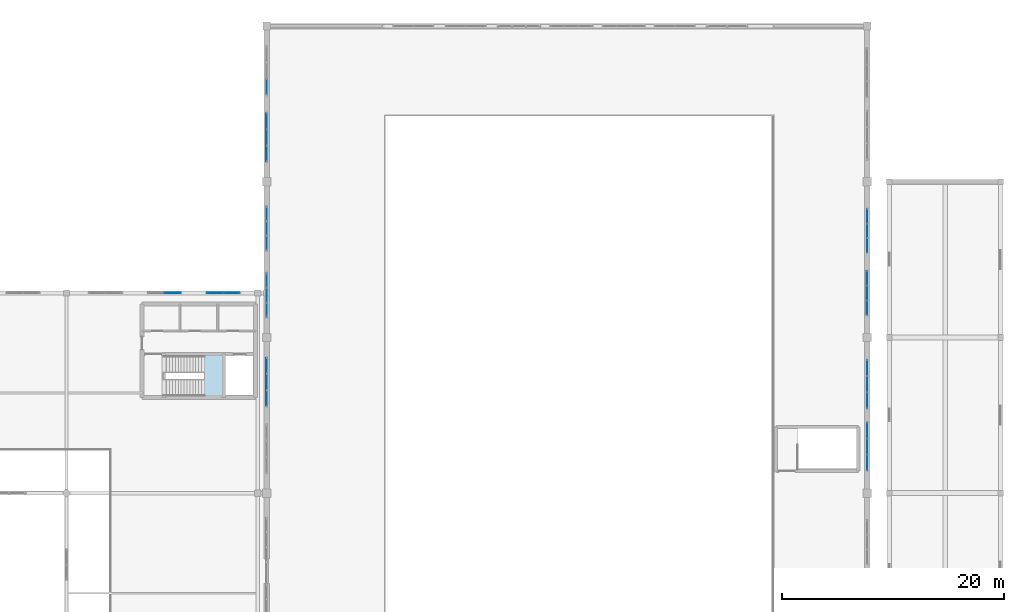
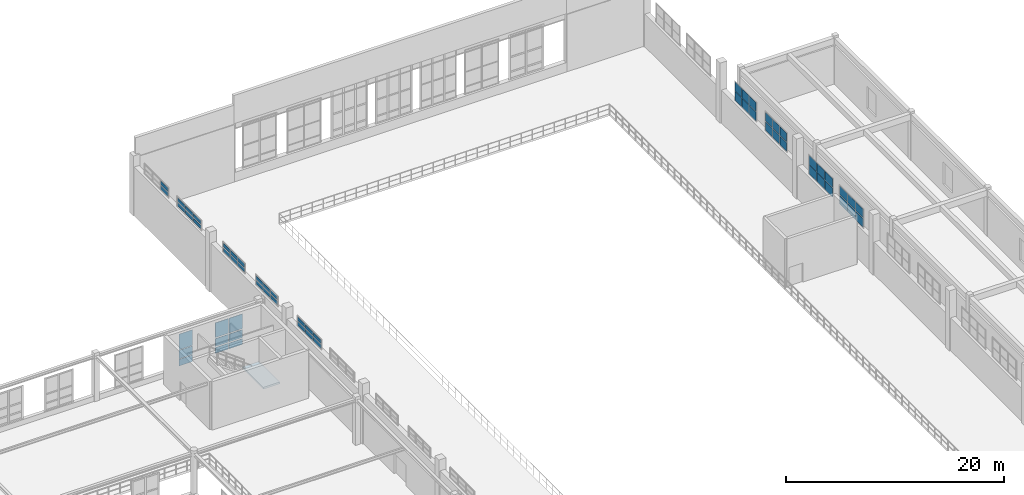
# One storey, part 165 of 197: 59 plates, 1 slab, 12 elements without a shape of their own.
"""IFC4 building model written with IfcOpenShell, lengths in metres."""

from ifc_helpers import new_model, si_unit, derived_unit, direction, frame, origin, origin_2d, place, context, subcontext, project, spatial, polyline, rectangle, outline, extrude, material, layer, layer_set, type_object, element, aggregate, save


model = new_model("IFC4")

# Units and contexts
model_context = context("Model", 3, precision=1e-05, world=origin(), true_north=direction((0.0, 1.0)))
body_context = subcontext(model_context, "Body", "Model", "MODEL_VIEW")
ifc_project = project(units=[si_unit("LENGTHUNIT", "METRE"), si_unit("AREAUNIT", "SQUARE_METRE"), si_unit("VOLUMEUNIT", "CUBIC_METRE"), si_unit("PLANEANGLEUNIT", "RADIAN"), si_unit("MASSUNIT", "GRAM", prefix="KILO"), derived_unit("THERMALTRANSMITTANCEUNIT", [(si_unit("POWERUNIT", "WATT"), 1), (si_unit("LENGTHUNIT", "METRE"), -2), (si_unit("THERMODYNAMICTEMPERATUREUNIT", "KELVIN"), -1)])], contexts=[model_context])

# Site, building, storey
site_placement = place(None, origin())
site = spatial("IfcSite", under=ifc_project, at=site_placement, CompositionType="ELEMENT")
building_placement = place(site_placement, origin())
building = spatial("IfcBuilding", under=site, at=building_placement, Name="Almenara Railside Exhibition Hall", CompositionType="ELEMENT")
storey_placement = place(building_placement, frame((0.0, 0.0, 5.39990234375)))
storey = spatial("IfcBuildingStorey", under=building, at=storey_placement, Name="L01", CompositionType="ELEMENT", Elevation=5.39990234375)

# Curtain wall, plates
ifc_material_1 = material(Name="Bronze-anodised aluminium and low-E double glazing", Category="aluminium")
ifc_layer_1 = layer(ifc_material_1, 0.179931640625, Name="Bronze-anodised aluminium and low-E double glazing")
ifc_layer_set_1 = layer_set([ifc_layer_1], Name="Bronze-anodised aluminium and low-E double glazing")
curtain_wall_type_1 = type_object("IfcCurtainWallType", Name="East Hall Clerestory Curtain Wall 4400x2300", PredefinedType="NOTDEFINED", material=ifc_layer_set_1)
curtain_wall_1_placement = place(storey_placement, origin())
curtain_wall_1 = element("IfcCurtainWall", 1, at=curtain_wall_1_placement, inside=storey, type_object=curtain_wall_type_1, Name="Curtain wall CW-CL3-070", PredefinedType="NOTDEFINED")
ifc_material_2 = material(Name="Solar-control acoustic laminated glazing", Category="glass")
ifc_layer_2 = layer(ifc_material_2, 0.031982421875, Name="Solar-control acoustic laminated glazing")
ifc_layer_set_2 = layer_set([ifc_layer_2], Name="Solar-control acoustic laminated glazing")
plate_type_1 = type_object("IfcPlateType", Name="Acoustic Low-E Double Glazing Panel 32mm", PredefinedType="CURTAIN_PANEL", material=ifc_layer_set_2)
plate_1_placement = place(storey_placement, frame((192.0, 98.34716796875, 3.72412109375), z_axis=(0.0, 0.0, 1.0), x_axis=(0.0, 1.0, 0.0)))
plate_1 = element("IfcPlate", 2, at=plate_1_placement, type_object=plate_type_1, Name="CW-CL3-070 panel 1.1", PredefinedType="CURTAIN_PANEL", context=body_context, shape_type="SweptSolid", body=[
    extrude(rectangle(XDim=1.400146484375, YDim=0.031982421875, at=origin_2d()), origin(), (0.0, 0.0, 1.0), 0.9970703125),
])
plate_2_placement = place(storey_placement, frame((192.0, 98.34716796875, 4.779052734375), z_axis=(0.0, 0.0, 1.0), x_axis=(0.0, 1.0, 0.0)))
plate_2 = element("IfcPlate", 3, at=plate_2_placement, type_object=plate_type_1, Name="CW-CL3-070 panel 1.2", PredefinedType="CURTAIN_PANEL", context=body_context, shape_type="SweptSolid", body=[
    extrude(rectangle(XDim=1.400146484375, YDim=0.031982421875, at=origin_2d()), origin(), (0.0, 0.0, 1.0), 0.9970703125),
])
plate_3_placement = place(storey_placement, frame((192.0, 99.800048828125, 3.72412109375), z_axis=(0.0, 0.0, 1.0), x_axis=(0.0, 1.0, 0.0)))
plate_3 = element("IfcPlate", 4, at=plate_3_placement, type_object=plate_type_1, Name="CW-CL3-070 panel 2.1", PredefinedType="CURTAIN_PANEL", context=body_context, shape_type="SweptSolid", body=[
    extrude(rectangle(XDim=1.427734375, YDim=0.031982421875, at=origin_2d()), origin(), (0.0, 0.0, 1.0), 0.9970703125),
])
plate_4_placement = place(storey_placement, frame((192.0, 99.800048828125, 4.779052734375), z_axis=(0.0, 0.0, 1.0), x_axis=(0.0, 1.0, 0.0)))
plate_4 = element("IfcPlate", 5, at=plate_4_placement, type_object=plate_type_1, Name="CW-CL3-070 panel 2.2", PredefinedType="CURTAIN_PANEL", context=body_context, shape_type="SweptSolid", body=[
    extrude(rectangle(XDim=1.427734375, YDim=0.031982421875, at=origin_2d()), origin(), (0.0, 0.0, 1.0), 0.9970703125),
])
plate_5_placement = place(storey_placement, frame((192.0, 101.2529296875, 3.72412109375), z_axis=(0.0, 0.0, 1.0), x_axis=(0.0, 1.0, 0.0)))
plate_5 = element("IfcPlate", 6, at=plate_5_placement, type_object=plate_type_1, Name="CW-CL3-070 panel 3.1", PredefinedType="CURTAIN_PANEL", context=body_context, shape_type="SweptSolid", body=[
    extrude(rectangle(XDim=1.400146484375, YDim=0.031982421875, at=origin_2d()), origin(), (0.0, 0.0, 1.0), 0.9970703125),
])
plate_6_placement = place(storey_placement, frame((192.0, 101.2529296875, 4.779052734375), z_axis=(0.0, 0.0, 1.0), x_axis=(0.0, 1.0, 0.0)))
plate_6 = element("IfcPlate", 7, at=plate_6_placement, type_object=plate_type_1, Name="CW-CL3-070 panel 3.2", PredefinedType="CURTAIN_PANEL", context=body_context, shape_type="SweptSolid", body=[
    extrude(rectangle(XDim=1.400146484375, YDim=0.031982421875, at=origin_2d()), origin(), (0.0, 0.0, 1.0), 0.9970703125),
])
aggregate(curtain_wall_1, [plate_1, plate_2, plate_3, plate_4, plate_5, plate_6])

curtain_wall_2_placement = place(storey_placement, origin())
curtain_wall_2 = element("IfcCurtainWall", 8, at=curtain_wall_2_placement, inside=storey, type_object=curtain_wall_type_1, Name="Curtain wall CW-CL3-075", PredefinedType="NOTDEFINED")
plate_7_placement = place(storey_placement, frame((138.0, 120.55078125, 5.593994140625), z_axis=(0.0, 0.0, 1.0), x_axis=(0.0, 1.0, 0.0)))
plate_7 = element("IfcPlate", 9, at=plate_7_placement, type_object=plate_type_1, Name="CW-CL3-075 panel 1.1", PredefinedType="CURTAIN_PANEL", context=body_context, shape_type="SweptSolid", body=[
    extrude(rectangle(XDim=1.377685546875, YDim=0.031982421875, at=origin_2d()), origin(), (0.0, 0.0, 1.0), 0.39208984375),
])
plate_8_placement = place(storey_placement, frame((138.0, 120.55078125, 6.114013671875), z_axis=(0.0, 0.0, 1.0), x_axis=(0.0, 1.0, 0.0)))
plate_8 = element("IfcPlate", 10, at=plate_8_placement, type_object=plate_type_1, Name="CW-CL3-075 panel 1.2", PredefinedType="CURTAIN_PANEL", context=body_context, shape_type="SweptSolid", body=[
    extrude(rectangle(XDim=1.377685546875, YDim=0.031982421875, at=origin_2d()), origin(), (0.0, 0.0, 1.0), 0.39208984375),
])
plate_9_placement = place(storey_placement, frame((138.0, 122.0, 5.593994140625), z_axis=(0.0, 0.0, 1.0), x_axis=(0.0, 1.0, 0.0)))
plate_9 = element("IfcPlate", 11, at=plate_9_placement, type_object=plate_type_1, Name="CW-CL3-075 panel 2.1", PredefinedType="CURTAIN_PANEL", context=body_context, shape_type="SweptSolid", body=[
    extrude(rectangle(XDim=1.41259765625, YDim=0.031982421875, at=origin_2d()), origin(), (0.0, 0.0, 1.0), 0.39208984375),
])
plate_10_placement = place(storey_placement, frame((138.0, 122.0, 6.114013671875), z_axis=(0.0, 0.0, 1.0), x_axis=(0.0, 1.0, 0.0)))
plate_10 = element("IfcPlate", 12, at=plate_10_placement, type_object=plate_type_1, Name="CW-CL3-075 panel 2.2", PredefinedType="CURTAIN_PANEL", context=body_context, shape_type="SweptSolid", body=[
    extrude(rectangle(XDim=1.41259765625, YDim=0.031982421875, at=origin_2d()), origin(), (0.0, 0.0, 1.0), 0.39208984375),
])
plate_11_placement = place(storey_placement, frame((138.0, 123.44921875, 5.593994140625), z_axis=(0.0, 0.0, 1.0), x_axis=(0.0, 1.0, 0.0)))
plate_11 = element("IfcPlate", 13, at=plate_11_placement, type_object=plate_type_1, Name="CW-CL3-075 panel 3.1", PredefinedType="CURTAIN_PANEL", context=body_context, shape_type="SweptSolid", body=[
    extrude(rectangle(XDim=1.377685546875, YDim=0.031982421875, at=origin_2d()), origin(), (0.0, 0.0, 1.0), 0.39208984375),
])
plate_12_placement = place(storey_placement, frame((138.0, 123.44921875, 6.114013671875), z_axis=(0.0, 0.0, 1.0), x_axis=(0.0, 1.0, 0.0)))
plate_12 = element("IfcPlate", 14, at=plate_12_placement, type_object=plate_type_1, Name="CW-CL3-075 panel 3.2", PredefinedType="CURTAIN_PANEL", context=body_context, shape_type="SweptSolid", body=[
    extrude(rectangle(XDim=1.377685546875, YDim=0.031982421875, at=origin_2d()), origin(), (0.0, 0.0, 1.0), 0.39208984375),
])
aggregate(curtain_wall_2, [plate_7, plate_8, plate_9, plate_10, plate_11, plate_12])

ifc_layer_3 = layer(ifc_material_1, 0.179931640625, Name="Bronze-anodised aluminium and low-E double glazing")
ifc_layer_set_3 = layer_set([ifc_layer_3], Name="Bronze-anodised aluminium and low-E double glazing")
curtain_wall_type_2 = type_object("IfcCurtainWallType", Name="East Hall Clerestory Curtain Wall 4000x2100", PredefinedType="NOTDEFINED", material=ifc_layer_set_3)
curtain_wall_3_placement = place(storey_placement, origin())
curtain_wall_3 = element("IfcCurtainWall", 15, at=curtain_wall_3_placement, inside=storey, type_object=curtain_wall_type_2, Name="Curtain wall CW-CL4-072", PredefinedType="NOTDEFINED")
ifc_material_3 = material(Name="Clear low-E laminated double glazing", Category="glass")
ifc_layer_4 = layer(ifc_material_3, 0.02392578125, Name="Clear low-E laminated double glazing")
ifc_layer_set_4 = layer_set([ifc_layer_4], Name="Clear low-E laminated double glazing")
plate_type_2 = type_object("IfcPlateType", Name="Courtyard Clear Double Glazing Panel 24mm", PredefinedType="CURTAIN_PANEL", material=ifc_layer_set_4)
plate_13_placement = place(storey_placement, frame((138.0, 112.48291015625, 5.57421875), z_axis=(0.0, 0.0, 1.0), x_axis=(0.0, 1.0, 0.0)))
plate_13 = element("IfcPlate", 16, at=plate_13_placement, type_object=plate_type_2, Name="CW-CL4-072 panel 1.1", PredefinedType="CURTAIN_PANEL", context=body_context, shape_type="SweptSolid", body=[
    extrude(rectangle(XDim=1.251953125, YDim=0.02392578125, at=origin_2d()), origin(), (0.0, 0.0, 1.0), 0.422119140625),
])
plate_14_placement = place(storey_placement, frame((138.0, 112.48291015625, 6.10400390625), z_axis=(0.0, 0.0, 1.0), x_axis=(0.0, 1.0, 0.0)))
plate_14 = element("IfcPlate", 17, at=plate_14_placement, type_object=plate_type_2, Name="CW-CL4-072 panel 1.2", PredefinedType="CURTAIN_PANEL", context=body_context, shape_type="SweptSolid", body=[
    extrude(rectangle(XDim=1.251953125, YDim=0.02392578125, at=origin_2d()), origin(), (0.0, 0.0, 1.0), 0.422119140625),
])
plate_15_placement = place(storey_placement, frame((138.0, 113.800048828125, 5.57421875), z_axis=(0.0, 0.0, 1.0), x_axis=(0.0, 1.0, 0.0)))
plate_15 = element("IfcPlate", 18, at=plate_15_placement, type_object=plate_type_2, Name="CW-CL4-072 panel 2.1", PredefinedType="CURTAIN_PANEL", context=body_context, shape_type="SweptSolid", body=[
    extrude(rectangle(XDim=1.284423828125, YDim=0.02392578125, at=origin_2d()), origin(), (0.0, 0.0, 1.0), 0.422119140625),
])
plate_16_placement = place(storey_placement, frame((138.0, 113.800048828125, 6.10400390625), z_axis=(0.0, 0.0, 1.0), x_axis=(0.0, 1.0, 0.0)))
plate_16 = element("IfcPlate", 19, at=plate_16_placement, type_object=plate_type_2, Name="CW-CL4-072 panel 2.2", PredefinedType="CURTAIN_PANEL", context=body_context, shape_type="SweptSolid", body=[
    extrude(rectangle(XDim=1.284423828125, YDim=0.02392578125, at=origin_2d()), origin(), (0.0, 0.0, 1.0), 0.422119140625),
])
plate_17_placement = place(storey_placement, frame((138.0, 115.1171875, 5.57421875), z_axis=(0.0, 0.0, 1.0), x_axis=(0.0, 1.0, 0.0)))
plate_17 = element("IfcPlate", 20, at=plate_17_placement, type_object=plate_type_2, Name="CW-CL4-072 panel 3.1", PredefinedType="CURTAIN_PANEL", context=body_context, shape_type="SweptSolid", body=[
    extrude(rectangle(XDim=1.251953125, YDim=0.02392578125, at=origin_2d()), origin(), (0.0, 0.0, 1.0), 0.422119140625),
])
plate_18_placement = place(storey_placement, frame((138.0, 115.1171875, 6.10400390625), z_axis=(0.0, 0.0, 1.0), x_axis=(0.0, 1.0, 0.0)))
plate_18 = element("IfcPlate", 21, at=plate_18_placement, type_object=plate_type_2, Name="CW-CL4-072 panel 3.2", PredefinedType="CURTAIN_PANEL", context=body_context, shape_type="SweptSolid", body=[
    extrude(rectangle(XDim=1.251953125, YDim=0.02392578125, at=origin_2d()), origin(), (0.0, 0.0, 1.0), 0.422119140625),
])
aggregate(curtain_wall_3, [plate_13, plate_14, plate_15, plate_16, plate_17, plate_18])

ifc_layer_5 = layer(ifc_material_1, 0.179931640625, Name="Bronze-anodised aluminium and low-E double glazing")
ifc_layer_set_5 = layer_set([ifc_layer_5], Name="Bronze-anodised aluminium and low-E double glazing")
curtain_wall_type_3 = type_object("IfcCurtainWallType", Name="Courtyard North Galeria Curtain Wall 3000x3700", PredefinedType="NOTDEFINED", material=ifc_layer_set_5)
curtain_wall_4_placement = place(storey_placement, origin())
curtain_wall_4 = element("IfcCurtainWall", 22, at=curtain_wall_4_placement, inside=storey, type_object=curtain_wall_type_3, Name="Curtain wall CW-CY1-142", PredefinedType="NOTDEFINED")
plate_19_placement = place(storey_placement, frame((129.5361328125, 108.0, 0.674072265625), z_axis=(0.0, 0.0, 1.0), x_axis=(1.0, 0.0, 0.0)))
plate_19 = element("IfcPlate", 23, at=plate_19_placement, type_object=plate_type_2, Name="CW-CY1-142 panel 2.1", PredefinedType="CURTAIN_PANEL", context=body_context, shape_type="SweptSolid", body=[
    extrude(rectangle(XDim=1.43359375, YDim=0.02392578125, at=origin_2d()), origin(), (0.0, 0.0, 1.0), 0.7470703125),
])
plate_20_placement = place(storey_placement, frame((129.5361328125, 108.0, 1.479248046875), z_axis=(0.0, 0.0, 1.0), x_axis=(1.0, 0.0, 0.0)))
plate_20 = element("IfcPlate", 24, at=plate_20_placement, type_object=plate_type_2, Name="CW-CY1-142 panel 2.2", PredefinedType="CURTAIN_PANEL", context=body_context, shape_type="SweptSolid", body=[
    extrude(rectangle(XDim=1.43359375, YDim=0.02392578125, at=origin_2d()), origin(), (0.0, 0.0, 1.0), 0.94189453125),
])
plate_21_placement = place(storey_placement, frame((129.5361328125, 108.0, 2.47900390625), z_axis=(0.0, 0.0, 1.0), x_axis=(1.0, 0.0, 0.0)))
plate_21 = element("IfcPlate", 25, at=plate_21_placement, type_object=plate_type_2, Name="CW-CY1-142 panel 2.3", PredefinedType="CURTAIN_PANEL", context=body_context, shape_type="SweptSolid", body=[
    extrude(rectangle(XDim=1.43359375, YDim=0.02392578125, at=origin_2d()), origin(), (0.0, 0.0, 1.0), 1.7470703125),
])
aggregate(curtain_wall_4, [plate_19, plate_20, plate_21])

curtain_wall_5_placement = place(storey_placement, origin())
curtain_wall_5 = element("IfcCurtainWall", 26, at=curtain_wall_5_placement, inside=storey, type_object=curtain_wall_type_1, Name="Curtain wall CW-CL3-068", PredefinedType="NOTDEFINED")
ifc_material_4 = material(Name="Bronze-anodised insulated aluminium spandrel", Category="aluminium")
ifc_layer_6 = layer(ifc_material_4, 0.0400390625, Name="Bronze-anodised insulated aluminium spandrel")
ifc_layer_set_6 = layer_set([ifc_layer_6], Name="Bronze-anodised insulated aluminium spandrel")
plate_type_3 = type_object("IfcPlateType", Name="Insulated Bronze Spandrel Panel 40mm", PredefinedType="CURTAIN_PANEL", material=ifc_layer_set_6)
plate_22_placement = place(storey_placement, frame((138.0, 98.549560546875, 5.57421875), z_axis=(0.0, 0.0, 1.0), x_axis=(0.0, 1.0, 0.0)))
plate_22 = element("IfcPlate", 27, at=plate_22_placement, type_object=plate_type_3, Name="CW-CL3-068 panel 1.1", PredefinedType="CURTAIN_PANEL", context=body_context, shape_type="SweptSolid", body=[
    extrude(rectangle(XDim=1.38525390625, YDim=0.0400390625, at=origin_2d()), origin(), (0.0, 0.0, 1.0), 0.422119140625),
])
plate_23_placement = place(storey_placement, frame((138.0, 98.549560546875, 6.10400390625), z_axis=(0.0, 0.0, 1.0), x_axis=(0.0, 1.0, 0.0)))
plate_23 = element("IfcPlate", 28, at=plate_23_placement, type_object=plate_type_3, Name="CW-CL3-068 panel 1.2", PredefinedType="CURTAIN_PANEL", context=body_context, shape_type="SweptSolid", body=[
    extrude(rectangle(XDim=1.38525390625, YDim=0.0400390625, at=origin_2d()), origin(), (0.0, 0.0, 1.0), 0.422119140625),
])
plate_24_placement = place(storey_placement, frame((138.0, 100.0, 5.57421875), z_axis=(0.0, 0.0, 1.0), x_axis=(0.0, 1.0, 0.0)))
plate_24 = element("IfcPlate", 29, at=plate_24_placement, type_object=plate_type_3, Name="CW-CL3-068 panel 2.1", PredefinedType="CURTAIN_PANEL", context=body_context, shape_type="SweptSolid", body=[
    extrude(rectangle(XDim=1.417724609375, YDim=0.0400390625, at=origin_2d()), origin(), (0.0, 0.0, 1.0), 0.422119140625),
])
plate_25_placement = place(storey_placement, frame((138.0, 100.0, 6.10400390625), z_axis=(0.0, 0.0, 1.0), x_axis=(0.0, 1.0, 0.0)))
plate_25 = element("IfcPlate", 30, at=plate_25_placement, type_object=plate_type_3, Name="CW-CL3-068 panel 2.2", PredefinedType="CURTAIN_PANEL", context=body_context, shape_type="SweptSolid", body=[
    extrude(rectangle(XDim=1.417724609375, YDim=0.0400390625, at=origin_2d()), origin(), (0.0, 0.0, 1.0), 0.422119140625),
])
plate_26_placement = place(storey_placement, frame((138.0, 101.450439453125, 5.57421875), z_axis=(0.0, 0.0, 1.0), x_axis=(0.0, 1.0, 0.0)))
plate_26 = element("IfcPlate", 31, at=plate_26_placement, type_object=plate_type_3, Name="CW-CL3-068 panel 3.1", PredefinedType="CURTAIN_PANEL", context=body_context, shape_type="SweptSolid", body=[
    extrude(rectangle(XDim=1.38525390625, YDim=0.0400390625, at=origin_2d()), origin(), (0.0, 0.0, 1.0), 0.422119140625),
])
plate_27_placement = place(storey_placement, frame((138.0, 101.450439453125, 6.10400390625), z_axis=(0.0, 0.0, 1.0), x_axis=(0.0, 1.0, 0.0)))
plate_27 = element("IfcPlate", 32, at=plate_27_placement, type_object=plate_type_3, Name="CW-CL3-068 panel 3.2", PredefinedType="CURTAIN_PANEL", context=body_context, shape_type="SweptSolid", body=[
    extrude(rectangle(XDim=1.38525390625, YDim=0.0400390625, at=origin_2d()), origin(), (0.0, 0.0, 1.0), 0.422119140625),
])
aggregate(curtain_wall_5, [plate_22, plate_23, plate_24, plate_25, plate_26, plate_27])

curtain_wall_6_placement = place(storey_placement, origin())
curtain_wall_6 = element("IfcCurtainWall", 33, at=curtain_wall_6_placement, inside=storey, type_object=curtain_wall_type_2, Name="Curtain wall CW-CL4-073", PredefinedType="NOTDEFINED")
plate_28_placement = place(storey_placement, frame((192.0, 106.681640625, 3.744140625), z_axis=(0.0, 0.0, 1.0), x_axis=(0.0, 1.0, 0.0)))
plate_28 = element("IfcPlate", 34, at=plate_28_placement, type_object=plate_type_3, Name="CW-CL4-073 panel 1.1", PredefinedType="CURTAIN_PANEL", context=body_context, shape_type="SweptSolid", body=[
    extrude(rectangle(XDim=1.25927734375, YDim=0.0400390625, at=origin_2d()), origin(), (0.0, 0.0, 1.0), 0.967041015625),
])
plate_29_placement = place(storey_placement, frame((192.0, 106.681640625, 4.7890625), z_axis=(0.0, 0.0, 1.0), x_axis=(0.0, 1.0, 0.0)))
plate_29 = element("IfcPlate", 35, at=plate_29_placement, type_object=plate_type_3, Name="CW-CL4-073 panel 1.2", PredefinedType="CURTAIN_PANEL", context=body_context, shape_type="SweptSolid", body=[
    extrude(rectangle(XDim=1.25927734375, YDim=0.0400390625, at=origin_2d()), origin(), (0.0, 0.0, 1.0), 0.967041015625),
])
plate_30_placement = place(storey_placement, frame((192.0, 108.0, 3.744140625), z_axis=(0.0, 0.0, 1.0), x_axis=(0.0, 1.0, 0.0)))
plate_30 = element("IfcPlate", 36, at=plate_30_placement, type_object=plate_type_3, Name="CW-CL4-073 panel 2.1", PredefinedType="CURTAIN_PANEL", context=body_context, shape_type="SweptSolid", body=[
    extrude(rectangle(XDim=1.289306640625, YDim=0.0400390625, at=origin_2d()), origin(), (0.0, 0.0, 1.0), 0.967041015625),
])
plate_31_placement = place(storey_placement, frame((192.0, 108.0, 4.7890625), z_axis=(0.0, 0.0, 1.0), x_axis=(0.0, 1.0, 0.0)))
plate_31 = element("IfcPlate", 37, at=plate_31_placement, type_object=plate_type_3, Name="CW-CL4-073 panel 2.2", PredefinedType="CURTAIN_PANEL", context=body_context, shape_type="SweptSolid", body=[
    extrude(rectangle(XDim=1.289306640625, YDim=0.0400390625, at=origin_2d()), origin(), (0.0, 0.0, 1.0), 0.967041015625),
])
plate_32_placement = place(storey_placement, frame((192.0, 109.318359375, 3.744140625), z_axis=(0.0, 0.0, 1.0), x_axis=(0.0, 1.0, 0.0)))
plate_32 = element("IfcPlate", 38, at=plate_32_placement, type_object=plate_type_3, Name="CW-CL4-073 panel 3.1", PredefinedType="CURTAIN_PANEL", context=body_context, shape_type="SweptSolid", body=[
    extrude(rectangle(XDim=1.25927734375, YDim=0.0400390625, at=origin_2d()), origin(), (0.0, 0.0, 1.0), 0.967041015625),
])
plate_33_placement = place(storey_placement, frame((192.0, 109.318359375, 4.7890625), z_axis=(0.0, 0.0, 1.0), x_axis=(0.0, 1.0, 0.0)))
plate_33 = element("IfcPlate", 39, at=plate_33_placement, type_object=plate_type_3, Name="CW-CL4-073 panel 3.2", PredefinedType="CURTAIN_PANEL", context=body_context, shape_type="SweptSolid", body=[
    extrude(rectangle(XDim=1.25927734375, YDim=0.0400390625, at=origin_2d()), origin(), (0.0, 0.0, 1.0), 0.967041015625),
])
aggregate(curtain_wall_6, [plate_28, plate_29, plate_30, plate_31, plate_32, plate_33])

curtain_wall_7_placement = place(storey_placement, origin())
curtain_wall_7 = element("IfcCurtainWall", 40, at=curtain_wall_7_placement, inside=storey, type_object=curtain_wall_type_3, Name="Curtain wall CW-CY1-143", PredefinedType="NOTDEFINED")
plate_34_placement = place(storey_placement, frame((133.367431640625, 108.0, 0.744140625), z_axis=(0.0, 0.0, 1.0), x_axis=(1.0, 0.0, 0.0)))
plate_34 = element("IfcPlate", 41, at=plate_34_placement, type_object=plate_type_3, Name="CW-CY1-143 panel 1.1", PredefinedType="CURTAIN_PANEL", context=body_context, shape_type="SweptSolid", body=[
    extrude(rectangle(XDim=1.410888671875, YDim=0.0400390625, at=origin_2d()), origin(), (0.0, 0.0, 1.0), 0.64208984375),
])
plate_35_placement = place(storey_placement, frame((133.367431640625, 108.0, 1.51416015625), z_axis=(0.0, 0.0, 1.0), x_axis=(1.0, 0.0, 0.0)))
plate_35 = element("IfcPlate", 42, at=plate_35_placement, type_object=plate_type_3, Name="CW-CY1-143 panel 1.2", PredefinedType="CURTAIN_PANEL", context=body_context, shape_type="SweptSolid", body=[
    extrude(rectangle(XDim=1.410888671875, YDim=0.0400390625, at=origin_2d()), origin(), (0.0, 0.0, 1.0), 0.8720703125),
])
plate_36_placement = place(storey_placement, frame((133.367431640625, 108.0, 2.51416015625), z_axis=(0.0, 0.0, 1.0), x_axis=(1.0, 0.0, 0.0)))
plate_36 = element("IfcPlate", 43, at=plate_36_placement, type_object=plate_type_3, Name="CW-CY1-143 panel 1.3", PredefinedType="CURTAIN_PANEL", context=body_context, shape_type="SweptSolid", body=[
    extrude(rectangle(XDim=1.410888671875, YDim=0.0400390625, at=origin_2d()), origin(), (0.0, 0.0, 1.0), 1.64208984375),
])
plate_37_placement = place(storey_placement, frame((134.83251953125, 108.0, 0.744140625), z_axis=(0.0, 0.0, 1.0), x_axis=(1.0, 0.0, 0.0)))
plate_37 = element("IfcPlate", 44, at=plate_37_placement, type_object=plate_type_3, Name="CW-CY1-143 panel 2.1", PredefinedType="CURTAIN_PANEL", context=body_context, shape_type="SweptSolid", body=[
    extrude(rectangle(XDim=1.410888671875, YDim=0.0400390625, at=origin_2d()), origin(), (0.0, 0.0, 1.0), 0.64208984375),
])
plate_38_placement = place(storey_placement, frame((134.83251953125, 108.0, 1.51416015625), z_axis=(0.0, 0.0, 1.0), x_axis=(1.0, 0.0, 0.0)))
plate_38 = element("IfcPlate", 45, at=plate_38_placement, type_object=plate_type_3, Name="CW-CY1-143 panel 2.2", PredefinedType="CURTAIN_PANEL", context=body_context, shape_type="SweptSolid", body=[
    extrude(rectangle(XDim=1.410888671875, YDim=0.0400390625, at=origin_2d()), origin(), (0.0, 0.0, 1.0), 0.8720703125),
])
plate_39_placement = place(storey_placement, frame((134.83251953125, 108.0, 2.51416015625), z_axis=(0.0, 0.0, 1.0), x_axis=(1.0, 0.0, 0.0)))
plate_39 = element("IfcPlate", 46, at=plate_39_placement, type_object=plate_type_3, Name="CW-CY1-143 panel 2.3", PredefinedType="CURTAIN_PANEL", context=body_context, shape_type="SweptSolid", body=[
    extrude(rectangle(XDim=1.410888671875, YDim=0.0400390625, at=origin_2d()), origin(), (0.0, 0.0, 1.0), 1.64208984375),
])
aggregate(curtain_wall_7, [plate_34, plate_35, plate_36, plate_37, plate_38, plate_39])

curtain_wall_8_placement = place(storey_placement, origin())
curtain_wall_8 = element("IfcCurtainWall", 47, at=curtain_wall_8_placement, inside=storey, type_object=curtain_wall_type_1, Name="Curtain wall CW-CL3-069", PredefinedType="NOTDEFINED")
ifc_layer_7 = layer(ifc_material_4, 0.034912109375, Name="Bronze-anodised insulated aluminium spandrel")
ifc_layer_set_7 = layer_set([ifc_layer_7], Name="Bronze-anodised insulated aluminium spandrel")
plate_type_4 = type_object("IfcPlateType", Name="Insulated Stucco-Tone Spandrel Panel 35mm", PredefinedType="CURTAIN_PANEL", material=ifc_layer_set_7)
plate_40_placement = place(storey_placement, frame((192.0, 92.748291015625, 3.744140625), z_axis=(0.0, 0.0, 1.0), x_axis=(0.0, 1.0, 0.0)))
plate_40 = element("IfcPlate", 48, at=plate_40_placement, type_object=plate_type_4, Name="CW-CL3-069 panel 1.1", PredefinedType="CURTAIN_PANEL", context=body_context, shape_type="SweptSolid", body=[
    extrude(rectangle(XDim=1.392578125, YDim=0.034912109375, at=origin_2d()), origin(), (0.0, 0.0, 1.0), 0.967041015625),
])
plate_41_placement = place(storey_placement, frame((192.0, 92.748291015625, 4.7890625), z_axis=(0.0, 0.0, 1.0), x_axis=(0.0, 1.0, 0.0)))
plate_41 = element("IfcPlate", 49, at=plate_41_placement, type_object=plate_type_4, Name="CW-CL3-069 panel 1.2", PredefinedType="CURTAIN_PANEL", context=body_context, shape_type="SweptSolid", body=[
    extrude(rectangle(XDim=1.392578125, YDim=0.034912109375, at=origin_2d()), origin(), (0.0, 0.0, 1.0), 0.967041015625),
])
plate_42_placement = place(storey_placement, frame((192.0, 94.199951171875, 3.744140625), z_axis=(0.0, 0.0, 1.0), x_axis=(0.0, 1.0, 0.0)))
plate_42 = element("IfcPlate", 50, at=plate_42_placement, type_object=plate_type_4, Name="CW-CL3-069 panel 2.1", PredefinedType="CURTAIN_PANEL", context=body_context, shape_type="SweptSolid", body=[
    extrude(rectangle(XDim=1.422607421875, YDim=0.034912109375, at=origin_2d()), origin(), (0.0, 0.0, 1.0), 0.967041015625),
])
plate_43_placement = place(storey_placement, frame((192.0, 94.199951171875, 4.7890625), z_axis=(0.0, 0.0, 1.0), x_axis=(0.0, 1.0, 0.0)))
plate_43 = element("IfcPlate", 51, at=plate_43_placement, type_object=plate_type_4, Name="CW-CL3-069 panel 2.2", PredefinedType="CURTAIN_PANEL", context=body_context, shape_type="SweptSolid", body=[
    extrude(rectangle(XDim=1.422607421875, YDim=0.034912109375, at=origin_2d()), origin(), (0.0, 0.0, 1.0), 0.967041015625),
])
plate_44_placement = place(storey_placement, frame((192.0, 95.651611328125, 3.744140625), z_axis=(0.0, 0.0, 1.0), x_axis=(0.0, 1.0, 0.0)))
plate_44 = element("IfcPlate", 52, at=plate_44_placement, type_object=plate_type_4, Name="CW-CL3-069 panel 3.1", PredefinedType="CURTAIN_PANEL", context=body_context, shape_type="SweptSolid", body=[
    extrude(rectangle(XDim=1.392578125, YDim=0.034912109375, at=origin_2d()), origin(), (0.0, 0.0, 1.0), 0.967041015625),
])
plate_45_placement = place(storey_placement, frame((192.0, 95.651611328125, 4.7890625), z_axis=(0.0, 0.0, 1.0), x_axis=(0.0, 1.0, 0.0)))
plate_45 = element("IfcPlate", 53, at=plate_45_placement, type_object=plate_type_4, Name="CW-CL3-069 panel 3.2", PredefinedType="CURTAIN_PANEL", context=body_context, shape_type="SweptSolid", body=[
    extrude(rectangle(XDim=1.392578125, YDim=0.034912109375, at=origin_2d()), origin(), (0.0, 0.0, 1.0), 0.967041015625),
])
aggregate(curtain_wall_8, [plate_40, plate_41, plate_42, plate_43, plate_44, plate_45])

curtain_wall_9_placement = place(storey_placement, origin())
curtain_wall_9 = element("IfcCurtainWall", 54, at=curtain_wall_9_placement, inside=storey, type_object=curtain_wall_type_2, Name="Curtain wall CW-CL4-074", PredefinedType="NOTDEFINED")
plate_46_placement = place(storey_placement, frame((192.0, 112.280517578125, 3.72412109375), z_axis=(0.0, 0.0, 1.0), x_axis=(0.0, 1.0, 0.0)))
plate_46 = element("IfcPlate", 55, at=plate_46_placement, type_object=plate_type_4, Name="CW-CL4-074 panel 1.1", PredefinedType="CURTAIN_PANEL", context=body_context, shape_type="SweptSolid", body=[
    extrude(rectangle(XDim=1.266845703125, YDim=0.034912109375, at=origin_2d()), origin(), (0.0, 0.0, 1.0), 0.9970703125),
])
plate_47_placement = place(storey_placement, frame((192.0, 112.280517578125, 4.779052734375), z_axis=(0.0, 0.0, 1.0), x_axis=(0.0, 1.0, 0.0)))
plate_47 = element("IfcPlate", 56, at=plate_47_placement, type_object=plate_type_4, Name="CW-CL4-074 panel 1.2", PredefinedType="CURTAIN_PANEL", context=body_context, shape_type="SweptSolid", body=[
    extrude(rectangle(XDim=1.266845703125, YDim=0.034912109375, at=origin_2d()), origin(), (0.0, 0.0, 1.0), 0.9970703125),
])
plate_48_placement = place(storey_placement, frame((192.0, 113.60009765625, 3.72412109375), z_axis=(0.0, 0.0, 1.0), x_axis=(0.0, 1.0, 0.0)))
plate_48 = element("IfcPlate", 57, at=plate_48_placement, type_object=plate_type_4, Name="CW-CL4-074 panel 2.1", PredefinedType="CURTAIN_PANEL", context=body_context, shape_type="SweptSolid", body=[
    extrude(rectangle(XDim=1.29443359375, YDim=0.034912109375, at=origin_2d()), origin(), (0.0, 0.0, 1.0), 0.9970703125),
])
plate_49_placement = place(storey_placement, frame((192.0, 113.60009765625, 4.779052734375), z_axis=(0.0, 0.0, 1.0), x_axis=(0.0, 1.0, 0.0)))
plate_49 = element("IfcPlate", 58, at=plate_49_placement, type_object=plate_type_4, Name="CW-CL4-074 panel 2.2", PredefinedType="CURTAIN_PANEL", context=body_context, shape_type="SweptSolid", body=[
    extrude(rectangle(XDim=1.29443359375, YDim=0.034912109375, at=origin_2d()), origin(), (0.0, 0.0, 1.0), 0.9970703125),
])
plate_50_placement = place(storey_placement, frame((192.0, 114.919677734375, 3.72412109375), z_axis=(0.0, 0.0, 1.0), x_axis=(0.0, 1.0, 0.0)))
plate_50 = element("IfcPlate", 59, at=plate_50_placement, type_object=plate_type_4, Name="CW-CL4-074 panel 3.1", PredefinedType="CURTAIN_PANEL", context=body_context, shape_type="SweptSolid", body=[
    extrude(rectangle(XDim=1.266845703125, YDim=0.034912109375, at=origin_2d()), origin(), (0.0, 0.0, 1.0), 0.9970703125),
])
plate_51_placement = place(storey_placement, frame((192.0, 114.919677734375, 4.779052734375), z_axis=(0.0, 0.0, 1.0), x_axis=(0.0, 1.0, 0.0)))
plate_51 = element("IfcPlate", 60, at=plate_51_placement, type_object=plate_type_4, Name="CW-CL4-074 panel 3.2", PredefinedType="CURTAIN_PANEL", context=body_context, shape_type="SweptSolid", body=[
    extrude(rectangle(XDim=1.266845703125, YDim=0.034912109375, at=origin_2d()), origin(), (0.0, 0.0, 1.0), 0.9970703125),
])
aggregate(curtain_wall_9, [plate_46, plate_47, plate_48, plate_49, plate_50, plate_51])

curtain_wall_10_placement = place(storey_placement, origin())
curtain_wall_10 = element("IfcCurtainWall", 61, at=curtain_wall_10_placement, inside=storey, type_object=curtain_wall_type_2, Name="Curtain wall CW-CL4-071", PredefinedType="NOTDEFINED")
ifc_material_5 = material(Name="Solar-control low-E laminated double glazing", Category="glass")
ifc_layer_8 = layer(ifc_material_5, 0.028076171875, Name="Solar-control low-E laminated double glazing")
ifc_layer_set_8 = layer_set([ifc_layer_8], Name="Solar-control low-E laminated double glazing")
plate_type_5 = type_object("IfcPlateType", Name="Low-E Solar Control Double Glazing Panel 28mm", PredefinedType="CURTAIN_PANEL", material=ifc_layer_set_8)
plate_52_placement = place(storey_placement, frame((138.0, 106.484130859375, 5.593994140625), z_axis=(0.0, 0.0, 1.0), x_axis=(0.0, 1.0, 0.0)))
plate_52 = element("IfcPlate", 62, at=plate_52_placement, type_object=plate_type_5, Name="CW-CL4-071 panel 1.1", PredefinedType="CURTAIN_PANEL", context=body_context, shape_type="SweptSolid", body=[
    extrude(rectangle(XDim=1.244384765625, YDim=0.028076171875, at=origin_2d()), origin(), (0.0, 0.0, 1.0), 0.39208984375),
])
plate_53_placement = place(storey_placement, frame((138.0, 106.484130859375, 6.114013671875), z_axis=(0.0, 0.0, 1.0), x_axis=(0.0, 1.0, 0.0)))
plate_53 = element("IfcPlate", 63, at=plate_53_placement, type_object=plate_type_5, Name="CW-CL4-071 panel 1.2", PredefinedType="CURTAIN_PANEL", context=body_context, shape_type="SweptSolid", body=[
    extrude(rectangle(XDim=1.244384765625, YDim=0.028076171875, at=origin_2d()), origin(), (0.0, 0.0, 1.0), 0.39208984375),
])
plate_54_placement = place(storey_placement, frame((138.0, 107.800048828125, 5.593994140625), z_axis=(0.0, 0.0, 1.0), x_axis=(0.0, 1.0, 0.0)))
plate_54 = element("IfcPlate", 64, at=plate_54_placement, type_object=plate_type_5, Name="CW-CL4-071 panel 2.1", PredefinedType="CURTAIN_PANEL", context=body_context, shape_type="SweptSolid", body=[
    extrude(rectangle(XDim=1.279296875, YDim=0.028076171875, at=origin_2d()), origin(), (0.0, 0.0, 1.0), 0.39208984375),
])
plate_55_placement = place(storey_placement, frame((138.0, 107.800048828125, 6.114013671875), z_axis=(0.0, 0.0, 1.0), x_axis=(0.0, 1.0, 0.0)))
plate_55 = element("IfcPlate", 65, at=plate_55_placement, type_object=plate_type_5, Name="CW-CL4-071 panel 2.2", PredefinedType="CURTAIN_PANEL", context=body_context, shape_type="SweptSolid", body=[
    extrude(rectangle(XDim=1.279296875, YDim=0.028076171875, at=origin_2d()), origin(), (0.0, 0.0, 1.0), 0.39208984375),
])
plate_56_placement = place(storey_placement, frame((138.0, 109.11572265625, 5.593994140625), z_axis=(0.0, 0.0, 1.0), x_axis=(0.0, 1.0, 0.0)))
plate_56 = element("IfcPlate", 66, at=plate_56_placement, type_object=plate_type_5, Name="CW-CL4-071 panel 3.1", PredefinedType="CURTAIN_PANEL", context=body_context, shape_type="SweptSolid", body=[
    extrude(rectangle(XDim=1.244384765625, YDim=0.028076171875, at=origin_2d()), origin(), (0.0, 0.0, 1.0), 0.39208984375),
])
plate_57_placement = place(storey_placement, frame((138.0, 109.11572265625, 6.114013671875), z_axis=(0.0, 0.0, 1.0), x_axis=(0.0, 1.0, 0.0)))
plate_57 = element("IfcPlate", 67, at=plate_57_placement, type_object=plate_type_5, Name="CW-CL4-071 panel 3.2", PredefinedType="CURTAIN_PANEL", context=body_context, shape_type="SweptSolid", body=[
    extrude(rectangle(XDim=1.244384765625, YDim=0.028076171875, at=origin_2d()), origin(), (0.0, 0.0, 1.0), 0.39208984375),
])
aggregate(curtain_wall_10, [plate_52, plate_53, plate_54, plate_55, plate_56, plate_57])

curtain_wall_11_placement = place(storey_placement, origin())
curtain_wall_11 = element("IfcCurtainWall", 68, at=curtain_wall_11_placement, inside=storey, type_object=curtain_wall_type_1, Name="Curtain wall CW-CL3-076", PredefinedType="NOTDEFINED")
plate_58_placement = place(storey_placement, frame((138.0, 126.549560546875, 5.57421875), z_axis=(0.0, 0.0, 1.0), x_axis=(0.0, 1.0, 0.0)))
plate_58 = element("IfcPlate", 69, at=plate_58_placement, type_object=plate_type_5, Name="CW-CL3-076 panel 1.1", PredefinedType="CURTAIN_PANEL", context=body_context, shape_type="SweptSolid", body=[
    extrude(rectangle(XDim=1.38525390625, YDim=0.028076171875, at=origin_2d()), origin(), (0.0, 0.0, 1.0), 0.422119140625),
])
plate_59_placement = place(storey_placement, frame((138.0, 126.549560546875, 6.10400390625), z_axis=(0.0, 0.0, 1.0), x_axis=(0.0, 1.0, 0.0)))
plate_59 = element("IfcPlate", 70, at=plate_59_placement, type_object=plate_type_5, Name="CW-CL3-076 panel 1.2", PredefinedType="CURTAIN_PANEL", context=body_context, shape_type="SweptSolid", body=[
    extrude(rectangle(XDim=1.38525390625, YDim=0.028076171875, at=origin_2d()), origin(), (0.0, 0.0, 1.0), 0.422119140625),
])
aggregate(curtain_wall_11, [plate_58, plate_59])

# Stair, slab
ifc_material_6 = material(Name="Concrete C35/45", Category="concrete")
stair_type = type_object("IfcStairType", Name="Core Dog-Leg Escape Stair 1520mm", PredefinedType="TWO_STRAIGHT_RUN_STAIR", material=ifc_material_6)
stair_placement = place(storey_placement, origin())
stair = element("IfcStair", 71, at=stair_placement, inside=storey, type_object=stair_type, Name="Escape stair ST-C8-L01", PredefinedType="TWO_STRAIGHT_RUN_STAIR")
ifc_layer_9 = layer(ifc_material_6, 0.199951171875, Name="Concrete C35/45")
ifc_layer_set_9 = layer_set([ifc_layer_9], Name="Concrete C35/45")
slab_type = type_object("IfcSlabType", Name="Stair Half-Landing Slab 200mm C35/45", PredefinedType="LANDING", material=ifc_layer_set_9)
slab_placement = place(storey_placement, frame((0.0, 0.0, 2.5)))
slab = element("IfcSlab", 72, at=slab_placement, type_object=slab_type, Name="ST-C8-L01 landing 1", PredefinedType="LANDING", context=body_context, shape_type="SweptSolid", body=[
    extrude(outline(polyline([(132.35986328125, 98.64990234375), (134.090087890625, 98.64990234375), (134.090087890625, 102.47998046875), (132.35986328125, 102.47998046875), (132.35986328125, 98.64990234375)])), origin(), (0.0, 0.0, 1.0), 0.2001953125),
])
aggregate(stair, [slab])

save(model, "model.ifc")
